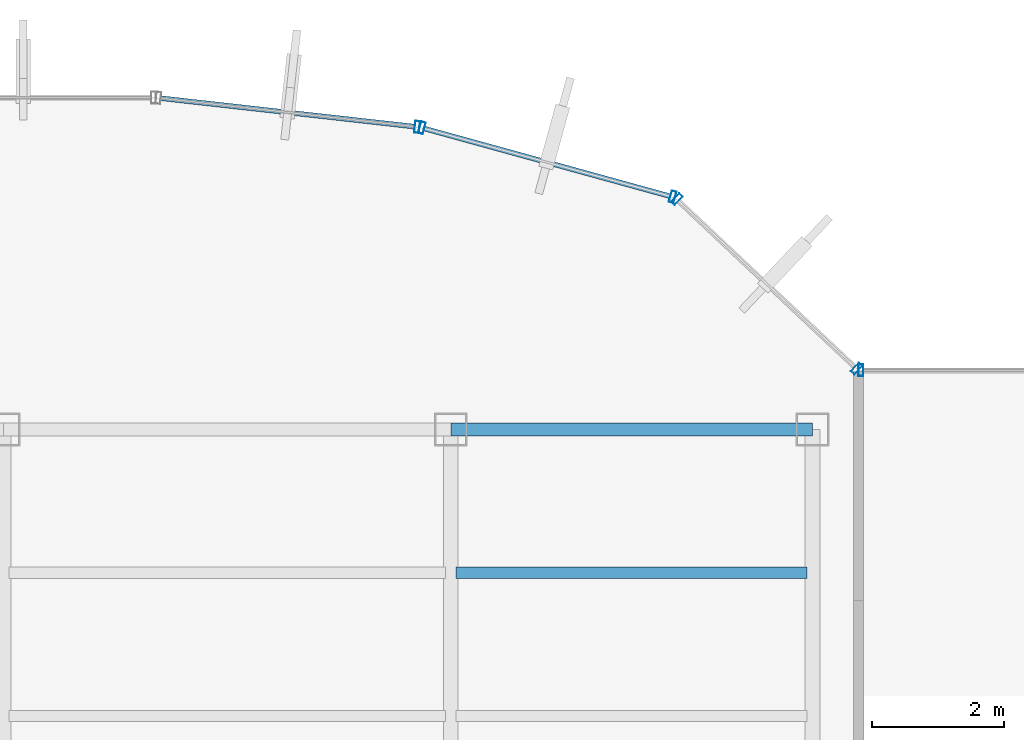
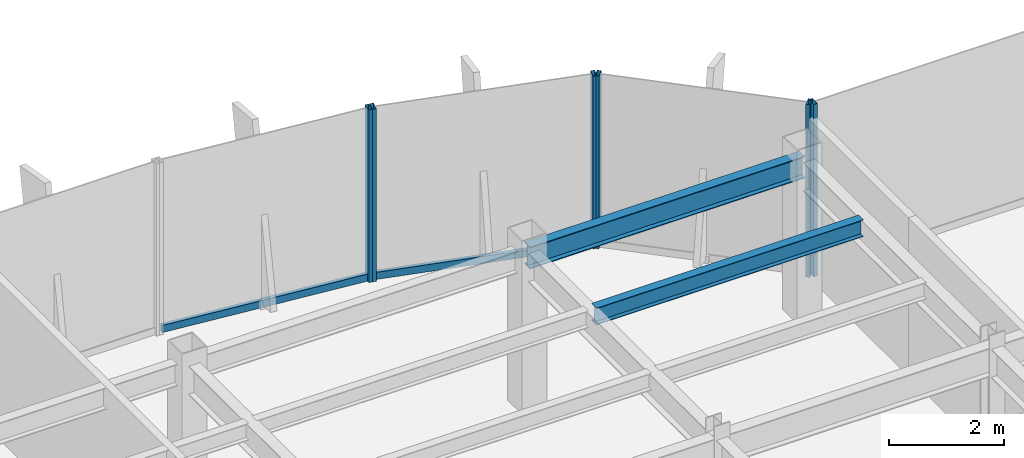
# One storey, part 14 of 22: 8 members, 2 beams, 4 elements without a shape of their own.
"""IFC4 building model written with IfcOpenShell, lengths in metres."""

from ifc_helpers import new_model, si_unit, derived_unit, direction, frame, origin, origin_2d, place, context, subcontext, project, spatial, hollow_rectangle, i_section, extrude, source, transform, mapped, material, material_profile, profile_set, type_object, element, aggregate, save


model = new_model("IFC4")

# Units and contexts
model_context = context("Model", 3, precision=1e-05, world=origin(), true_north=direction((0.0, 1.0)))
body_context = subcontext(model_context, "Body", "Model", "MODEL_VIEW")
ifc_project = project(units=[si_unit("LENGTHUNIT", "METRE"), si_unit("AREAUNIT", "SQUARE_METRE"), si_unit("VOLUMEUNIT", "CUBIC_METRE"), si_unit("PLANEANGLEUNIT", "RADIAN"), si_unit("MASSUNIT", "GRAM", prefix="KILO"), derived_unit("THERMALTRANSMITTANCEUNIT", [(si_unit("POWERUNIT", "WATT"), 1), (si_unit("LENGTHUNIT", "METRE"), -2), (si_unit("THERMODYNAMICTEMPERATUREUNIT", "KELVIN"), -1)])], contexts=[model_context])

# Site, building, storey
site_placement = place(None, origin())
site = spatial("IfcSite", under=ifc_project, at=site_placement, CompositionType="ELEMENT")
building_placement = place(site_placement, origin())
building = spatial("IfcBuilding", under=site, at=building_placement, Name="Skarnbrae Concourse Arena and Tower", CompositionType="ELEMENT")
storey_placement = place(building_placement, frame((0.0, 0.0, 232.39990234375)))
storey = spatial("IfcBuildingStorey", under=building, at=storey_placement, Name="L60", CompositionType="ELEMENT", Elevation=232.39990234375)

# Beams
ifc_material_1 = material(Name="Steel CSA G40.21 350W", Category="steel")
ifc_material_profile_1 = material_profile(ifc_material_1, i_section(OverallWidth=0.19091796875, OverallDepth=0.4599609375, WebThickness=0.010009765625, FlangeThickness=0.01611328125, at=origin_2d()), Name="W460X82")
ifc_profile_set_1 = profile_set([ifc_material_profile_1], Name="Steel CSA G40.21 350W")
beam_type_1 = type_object("IfcBeamType", Name="BM-SPAN-W460X82", PredefinedType="SPANDREL", material=ifc_profile_set_1)
shared_shape_1 = source(origin(), body_context, "Body", "SweptSolid", [
    extrude(i_section(OverallWidth=0.19091796875, OverallDepth=0.4599609375, WebThickness=0.010009765625, FlangeThickness=0.01611328125, at=origin_2d()), origin(), (0.0, 0.0, 1.0), 5.5),
])
beam_1_placement = place(storey_placement, frame((28.0, 34.39990234375, 3.1201171875), z_axis=(1.0, 0.0, 0.0), x_axis=(0.0, 1.0, 0.0)))
element("IfcBeam", 1, at=beam_1_placement, inside=storey, type_object=beam_type_1, Name="L60 Perimeter spandrel Y34.4-4", PredefinedType="SPANDREL", context=body_context, shape_type="MappedRepresentation", body=[
    mapped(shared_shape_1, transform((0.0, 0.0, 0.0))),
])
ifc_material_profile_2 = material_profile(ifc_material_1, i_section(OverallWidth=0.1708984375, OverallDepth=0.35498046875, WebThickness=0.007080078125, FlangeThickness=0.01171875, at=origin_2d()), Name="W360X51")
ifc_profile_set_2 = profile_set([ifc_material_profile_2], Name="Steel CSA G40.21 350W")
beam_type_2 = type_object("IfcBeamType", Name="BM-JOIST-W360X51", PredefinedType="JOIST", material=ifc_profile_set_2)
shared_shape_2 = source(origin(), body_context, "Body", "SweptSolid", [
    extrude(i_section(OverallWidth=0.1708984375, OverallDepth=0.35498046875, WebThickness=0.007080078125, FlangeThickness=0.01171875, at=origin_2d()), origin(), (0.0, 0.0, 1.0), 5.33984375),
])
beam_2_placement = place(storey_placement, frame((28.080078125, 32.221923828125, 3.172607421875), z_axis=(1.0, 0.0, 0.0), x_axis=(0.0, 1.0, 0.0)))
element("IfcBeam", 2, at=beam_2_placement, inside=storey, type_object=beam_type_2, Name="L60 Secondary floor joist 3.2.4", PredefinedType="JOIST", context=body_context, shape_type="MappedRepresentation", body=[
    mapped(shared_shape_2, transform((0.0, 0.0, 0.0))),
])

# Curtain wall, member
ifc_material_2 = material(Name="Bronze anodised aluminium 6063-T6", Category="aluminium")
curtain_wall_type = type_object("IfcCurtainWallType", Name="CW-SYS-05-HIGHZONE", PredefinedType="USERDEFINED", material=ifc_material_2)
curtain_wall_1_placement = place(storey_placement, origin())
curtain_wall_1 = element("IfcCurtainWall", 3, at=curtain_wall_1_placement, inside=storey, type_object=curtain_wall_type, Name="L60 Unitised curtain wall CW-L60-E09", ObjectType="UNITISED CURTAIN WALL", PredefinedType="USERDEFINED")
ifc_material_profile_3 = material_profile(ifc_material_2, hollow_rectangle(XDim=0.074951171875, YDim=0.14990234375, WallThickness=0.00390625, at=origin_2d()), Name="ALU-TRAN-75X150")
ifc_profile_set_3 = profile_set([ifc_material_profile_3], Name="Bronze anodised aluminium 6063-T6")
member_type_1 = type_object("IfcMemberType", Name="CWT-CW-05", PredefinedType="USERDEFINED", material=ifc_profile_set_3)
shared_shape_3 = source(origin(), body_context, "Body", "SweptSolid", [
    extrude(hollow_rectangle(XDim=0.074951171875, YDim=0.14990234375, WallThickness=0.00390625, at=origin_2d()), origin(), (0.0, 0.0, 1.0), 3.878662109375),
])
member_1_placement = place(storey_placement, frame((31.33740234375, 37.946533203125, 0.0751953125), z_axis=(-0.964042677713, 0.265747465742, 0.0), x_axis=(-0.265747465742, -0.964042677713, 0.0)))
member_1 = element("IfcMember", 4, at=member_1_placement, type_object=member_type_1, Name="CW-L60-E09 Transom 1", ObjectType="TRANSOM", PredefinedType="USERDEFINED", context=body_context, shape_type="MappedRepresentation", body=[
    mapped(shared_shape_3, transform((0.0, 0.0, 0.0))),
])

curtain_wall_2_placement = place(storey_placement, origin())
curtain_wall_2 = element("IfcCurtainWall", 5, at=curtain_wall_2_placement, inside=storey, type_object=curtain_wall_type, Name="L60 Unitised curtain wall CW-L60-E10", ObjectType="UNITISED CURTAIN WALL", PredefinedType="USERDEFINED")
shared_shape_4 = source(origin(), body_context, "Body", "SweptSolid", [
    extrude(hollow_rectangle(XDim=0.074951171875, YDim=0.14990234375, WallThickness=0.00390625, at=origin_2d()), origin(), (0.0, 0.0, 1.0), 3.8837890625),
])
member_2_placement = place(storey_placement, frame((27.451416015625, 39.005615234375, 0.0751953125), z_axis=(-0.993776714154, 0.111390495128, 0.0), x_axis=(-0.111390495128, -0.993776714154, 0.0)))
member_2 = element("IfcMember", 6, at=member_2_placement, type_object=member_type_1, Name="CW-L60-E10 Transom 1", ObjectType="TRANSOM", PredefinedType="USERDEFINED", context=body_context, shape_type="MappedRepresentation", body=[
    mapped(shared_shape_4, transform((0.0, 0.0, 0.0))),
])

curtain_wall_3_placement = place(storey_placement, origin())
curtain_wall_3 = element("IfcCurtainWall", 7, at=curtain_wall_3_placement, inside=storey, type_object=curtain_wall_type, Name="L60 Unitised curtain wall CW-L60-E07", ObjectType="UNITISED CURTAIN WALL", PredefinedType="USERDEFINED")
ifc_material_profile_4 = material_profile(ifc_material_2, hollow_rectangle(XDim=0.074951171875, YDim=0.179931640625, WallThickness=0.00390625, at=origin_2d()), Name="ALU-MULL-75X180")
ifc_profile_set_4 = profile_set([ifc_material_profile_4], Name="Bronze anodised aluminium 6063-T6")
member_type_2 = type_object("IfcMemberType", Name="CWM-CW-05", PredefinedType="MULLION", material=ifc_profile_set_4)
shared_shape_5 = source(origin(), body_context, "Body", "SweptSolid", [
    extrude(hollow_rectangle(XDim=0.074951171875, YDim=0.179931640625, WallThickness=0.00390625, at=origin_2d()), origin(), (0.0, 0.0, 1.0), 3.650146484375),
])
member_3_placement = place(storey_placement, frame((34.237548828125, 35.300048828125, 0.0), z_axis=(0.0, 0.0, 1.0), x_axis=(-1.0, 0.0, 0.0)))
member_3 = element("IfcMember", 8, at=member_3_placement, type_object=member_type_2, Name="CW-L60-E07 Mullion 2", PredefinedType="MULLION", context=body_context, shape_type="MappedRepresentation", body=[
    mapped(shared_shape_5, transform((0.0, 0.0, 0.0))),
])
aggregate(curtain_wall_3, [member_3])

# Curtain wall, members
curtain_wall_4_placement = place(storey_placement, origin())
curtain_wall_4 = element("IfcCurtainWall", 9, at=curtain_wall_4_placement, inside=storey, type_object=curtain_wall_type, Name="L60 Unitised curtain wall CW-L60-E08", ObjectType="UNITISED CURTAIN WALL", PredefinedType="USERDEFINED")
member_4_placement = place(storey_placement, frame((34.172607421875, 35.32568359375, 0.0), z_axis=(0.0, 0.0, 1.0), x_axis=(-0.728130555214, 0.685438468838, 0.0)))
member_4 = element("IfcMember", 10, at=member_4_placement, type_object=member_type_2, Name="CW-L60-E08 Mullion 1", PredefinedType="MULLION", context=body_context, shape_type="MappedRepresentation", body=[
    mapped(shared_shape_5, transform((0.0, 0.0, 0.0))),
])
member_5_placement = place(storey_placement, frame((31.43701171875, 37.90087890625, 0.0), z_axis=(0.0, 0.0, 1.0), x_axis=(-0.728130555214, 0.685438468838, 0.0)))
member_5 = element("IfcMember", 11, at=member_5_placement, type_object=member_type_2, Name="CW-L60-E08 Mullion 2", PredefinedType="MULLION", context=body_context, shape_type="MappedRepresentation", body=[
    mapped(shared_shape_5, transform((0.0, 0.0, 0.0))),
])
aggregate(curtain_wall_4, [member_4, member_5])

# Member
member_6_placement = place(storey_placement, frame((31.37353515625, 37.936767578125, 0.0), z_axis=(0.0, 0.0, 1.0), x_axis=(-0.964057388766, 0.265694093207, 0.0)))
member_6 = element("IfcMember", 12, at=member_6_placement, type_object=member_type_2, Name="CW-L60-E09 Mullion 1", PredefinedType="MULLION", context=body_context, shape_type="MappedRepresentation", body=[
    mapped(shared_shape_5, transform((0.0, 0.0, 0.0))),
])

member_7_placement = place(storey_placement, frame((27.56201171875, 38.987060546875, 0.0), z_axis=(0.0, 0.0, 1.0), x_axis=(-0.964057388766, 0.265694093207, 0.0)))
member_7 = element("IfcMember", 13, at=member_7_placement, type_object=member_type_2, Name="CW-L60-E09 Mullion 2", PredefinedType="MULLION", context=body_context, shape_type="MappedRepresentation", body=[
    mapped(shared_shape_5, transform((0.0, 0.0, 0.0))),
])

aggregate(curtain_wall_1, [member_6, member_7, member_1])

member_8_placement = place(storey_placement, frame((27.488525390625, 39.001220703125, 0.0), z_axis=(0.0, 0.0, 1.0), x_axis=(-0.993768891873, 0.111460259941, 0.0)))
member_8 = element("IfcMember", 14, at=member_8_placement, type_object=member_type_2, Name="CW-L60-E10 Mullion 1", PredefinedType="MULLION", context=body_context, shape_type="MappedRepresentation", body=[
    mapped(shared_shape_5, transform((0.0, 0.0, 0.0))),
])

aggregate(curtain_wall_2, [member_8, member_2])

save(model, "model.ifc")
